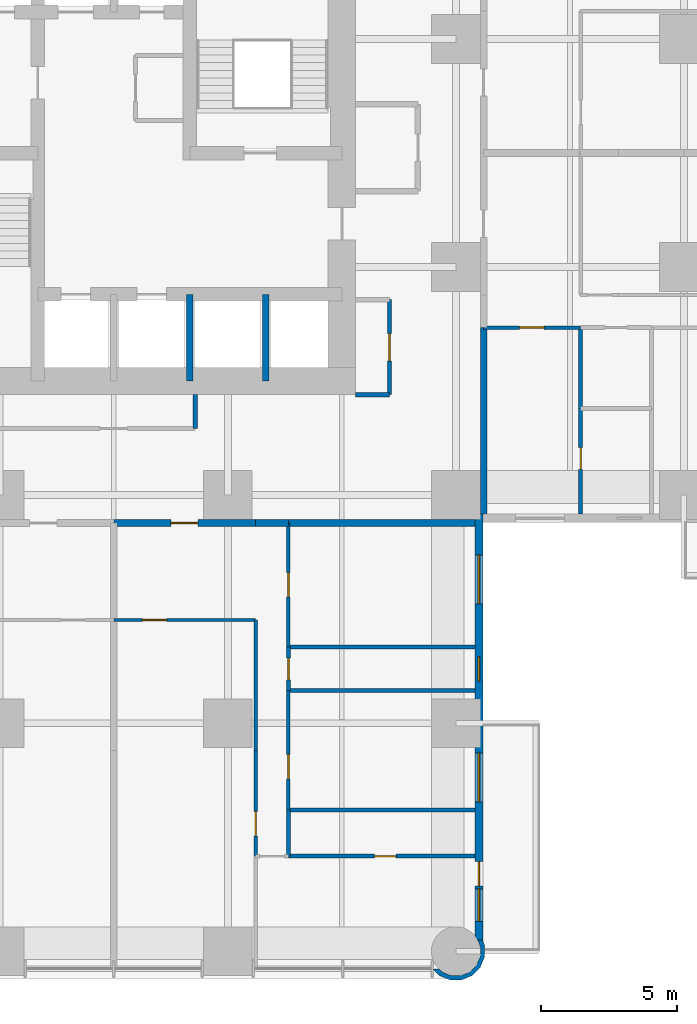
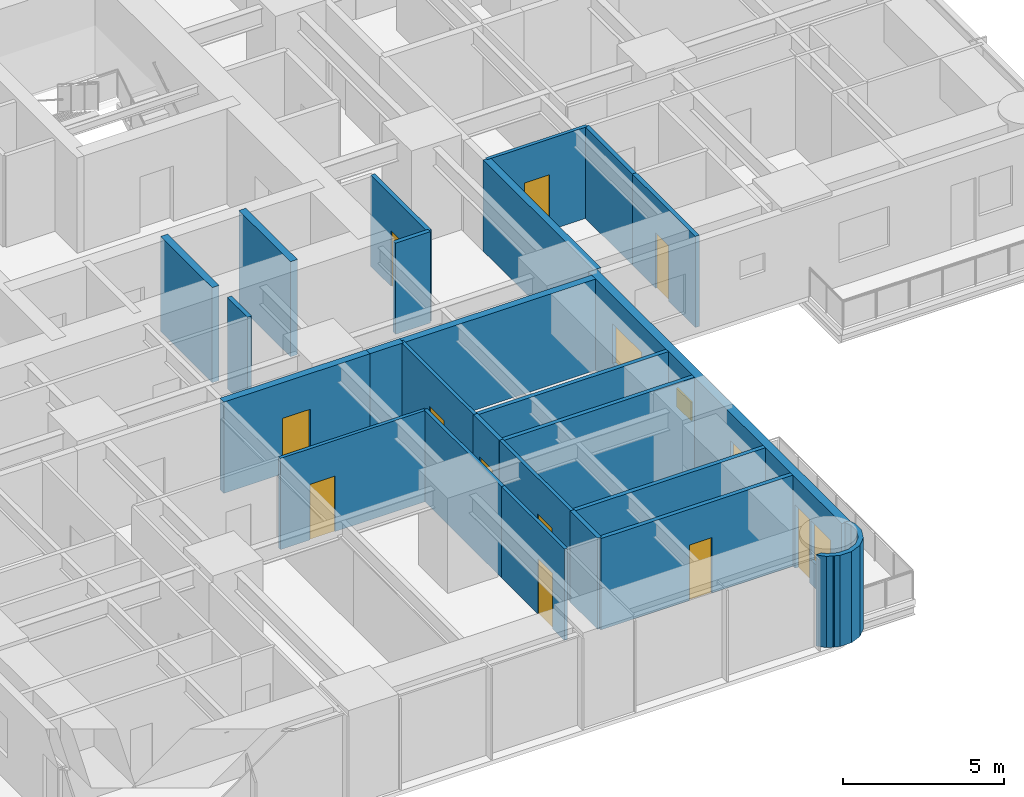
# One storey, part 9 of 17: 25 walls, 11 doors, 4 windows, 15 openings.
"""IFC4 building model written with IfcOpenShell, lengths in metres."""

from ifc_helpers import new_model, si_unit, direction, frame, frame_2d, origin, place, context, subcontext, project, spatial, polyline, rectangle, outline, extrude, material, layer, layer_set, type_object, element, fill, save


model = new_model("IFC4")

# Units and contexts
model_context = context("Model", 3, precision=1e-05, world=origin(), true_north=direction((0.0, 1.0)))
body_context = subcontext(model_context, "Body", "Model", "MODEL_VIEW")
ifc_project = project(units=[si_unit("LENGTHUNIT", "METRE"), si_unit("AREAUNIT", "SQUARE_METRE"), si_unit("VOLUMEUNIT", "CUBIC_METRE"), si_unit("PLANEANGLEUNIT", "RADIAN"), si_unit("MASSUNIT", "GRAM", prefix="KILO")], contexts=[model_context])

# Site, building, storey
site_placement = place(None, origin())
site = spatial("IfcSite", under=ifc_project, at=site_placement, CompositionType="ELEMENT")
building_placement = place(site_placement, origin())
building = spatial("IfcBuilding", under=site, at=building_placement, Name="Torre Alcanfor", CompositionType="ELEMENT")
storey_placement = place(building_placement, frame((0.0, 0.0, 74.10009765625)))
storey = spatial("IfcBuildingStorey", under=building, at=storey_placement, Name="L18", CompositionType="ELEMENT", Elevation=74.10009765625)

# Wall
ifc_material_1 = material(Name="Concrete block masonry, hollow blocks NMX-C-404 9 MPa", Category="masonry")
ifc_layer_1 = layer(ifc_material_1, 0.25)
ifc_layer_set_1 = layer_set([ifc_layer_1], Name="Apartment entrance wall 250 EI 60")
wall_type_1 = type_object("IfcWallType", Name="Apartment entrance wall 250 EI 60", PredefinedType="PARTITIONING", material=ifc_layer_set_1)
wall_1_placement = place(storey_placement, frame((43.02490234375, 22.970947265625, 0.0), z_axis=(0.0, 0.0, 1.0), x_axis=(0.0, -1.0, 0.0)))
element("IfcWall", 1, at=wall_1_placement, inside=storey, type_object=wall_type_1, Name="Partition L18-CORR / L18-E2-SERV", PredefinedType="PARTITIONING", context=body_context, shape_type="SweptSolid", body=[
    extrude(rectangle(XDim=6.870849609375, YDim=0.25, at=frame_2d((3.435546875, 0.0))), origin(), (0.0, 0.0, 1.0), 3.449951171875),
])

# Wall, opening, door
wall_2_placement = place(storey_placement, frame((34.62890625, 15.77490234375, 0.0), z_axis=(0.0, 0.0, 1.0), x_axis=(-1.0, 0.0, 0.0)))
wall_2 = element("IfcWall", 2, at=wall_2_placement, inside=storey, type_object=wall_type_1, Name="Partition L18-CORR / L18-S1-ZAG", PredefinedType="PARTITIONING", context=body_context, shape_type="SweptSolid", body=[
    extrude(rectangle(XDim=5.22900390625, YDim=0.25, at=frame_2d((2.614501953125, 0.0))), origin(), (0.0, 0.0, 1.0), 3.449951171875),
])
opening_1_placement = place(wall_2_placement, frame((2.12890625, 0.0, 0.0)))
opening_1 = element("IfcOpeningElement", 3, at=opening_1_placement, cuts=wall_2, Name="Opening D-A1", PredefinedType="OPENING", context=body_context, shape_type="SweptSolid", body=[
    extrude(rectangle(XDim=1.0, YDim=2.10009765625, at=frame_2d((0.5, 1.050048828125))), frame((0.0, 0.135009765625, 0.0), z_axis=(0.0, -1.0, 0.0), x_axis=(1.0, 0.0, 0.0)), (0.0, 0.0, 1.0), 0.27001953125),
])
ifc_material_2 = material(Name="Galvanised steel sheet ASTM A653", Category="steel")
door_type_1 = type_object("IfcDoorType", Name="Apartment entrance door FD60 1000x2100", OperationType="SINGLE_SWING_LEFT", PredefinedType="DOOR", material=ifc_material_2)
door_1_placement = place(opening_1_placement, origin())
door_1 = element("IfcDoor", 4, at=door_1_placement, inside=storey, type_object=door_type_1, Name="Apartment entrance L18-S1", OperationType="SINGLE_SWING_RIGHT", OverallHeight=2.10009765625, OverallWidth=1.0, PredefinedType="DOOR", context=body_context, shape_type="SweptSolid", body=[
    extrude(rectangle(XDim=1.0, YDim=2.10009765625, at=frame_2d((0.5, 1.050048828125))), frame((0.0, 0.02490234375, 0.0), z_axis=(0.0, -1.0, 0.0), x_axis=(1.0, 0.0, 0.0)), (0.0, 0.0, 1.0), 0.050048828125),
])
fill(opening_1, door_1)

# Walls
wall_3_placement = place(storey_placement, frame((35.8291015625, 15.77490234375, 0.0), z_axis=(0.0, 0.0, 1.0), x_axis=(-1.0, 0.0, 0.0)))
element("IfcWall", 5, at=wall_3_placement, inside=storey, type_object=wall_type_1, Name="Partition L18-CORR / L18-S1-HALL", PredefinedType="PARTITIONING", context=body_context, shape_type="SweptSolid", body=[
    extrude(rectangle(XDim=1.2001953125, YDim=0.25, at=frame_2d((0.60009765625, 0.0))), origin(), (0.0, 0.0, 1.0), 3.449951171875),
])
wall_4_placement = place(storey_placement, frame((42.699951171875, 15.77490234375, 0.0), z_axis=(0.0, 0.0, 1.0), x_axis=(-1.0, 0.0, 0.0)))
element("IfcWall", 6, at=wall_4_placement, inside=storey, type_object=wall_type_1, Name="Partition L18-CORR / L18-S1-BED3", PredefinedType="PARTITIONING", context=body_context, shape_type="SweptSolid", body=[
    extrude(rectangle(XDim=6.870849609375, YDim=0.25, at=frame_2d((3.435546875, 0.0))), origin(), (0.0, 0.0, 1.0), 3.449951171875),
])

# Wall, opening, door
ifc_material_3 = material(Name="Gypsum board on steel studs", Category="steel")
ifc_layer_2 = layer(ifc_material_3, 0.1201171875)
ifc_layer_set_2 = layer_set([ifc_layer_2], Name="Apartment partition 120")
wall_type_2 = type_object("IfcWallType", Name="Apartment partition 120", PredefinedType="PARTITIONING", material=ifc_layer_set_2)
wall_5_placement = place(storey_placement, frame((46.60009765625, 22.970947265625, 0.0), z_axis=(0.0, 0.0, 1.0), x_axis=(-1.0, 0.0, 0.0)))
wall_5 = element("IfcWall", 7, at=wall_5_placement, inside=storey, type_object=wall_type_2, Name="Partition L18-E2-HALL / L18-E2-SERV", PredefinedType="PARTITIONING", context=body_context, shape_type="SweptSolid", body=[
    extrude(rectangle(XDim=3.5751953125, YDim=0.1201171875, at=frame_2d((1.78759765625, 0.0))), origin(), (0.0, 0.0, 1.0), 3.449951171875),
])
opening_2_placement = place(wall_5_placement, frame((1.35009765625, 0.0, 0.0)))
opening_2 = element("IfcOpeningElement", 8, at=opening_2_placement, cuts=wall_5, Name="Opening D-R1", PredefinedType="OPENING", context=body_context, shape_type="SweptSolid", body=[
    extrude(rectangle(XDim=0.89990234375, YDim=2.10009765625, at=frame_2d((0.449951171875, 1.050048828125))), frame((0.0, 0.070068359375, 0.0), z_axis=(0.0, -1.0, 0.0), x_axis=(1.0, 0.0, 0.0)), (0.0, 0.0, 1.0), 0.14013671875),
])
ifc_material_4 = material(Name="Timber", Category="wood")
door_type_2 = type_object("IfcDoorType", Name="Internal door 900x2100", OperationType="SINGLE_SWING_LEFT", PredefinedType="DOOR", material=ifc_material_4)
door_2_placement = place(opening_2_placement, origin())
door_2 = element("IfcDoor", 9, at=door_2_placement, inside=storey, type_object=door_type_2, Name="Door L18-E2 serv", OperationType="SINGLE_SWING_RIGHT", OverallHeight=2.10009765625, OverallWidth=0.89990234375, PredefinedType="DOOR", context=body_context, shape_type="SweptSolid", body=[
    extrude(rectangle(XDim=0.89990234375, YDim=2.10009765625, at=frame_2d((0.449951171875, 1.050048828125))), frame((0.0, 0.02490234375, 0.0), z_axis=(0.0, -1.0, 0.0), x_axis=(1.0, 0.0, 0.0)), (0.0, 0.0, 1.0), 0.050048828125),
])
fill(opening_2, door_2)

wall_6_placement = place(storey_placement, frame((29.39990234375, 12.199951171875, 0.0), z_axis=(0.0, 0.0, 1.0), x_axis=(1.0, 0.0, 0.0)))
wall_6 = element("IfcWall", 10, at=wall_6_placement, inside=storey, type_object=wall_type_2, Name="Partition L18-S1-ZAG / L18-S1-KITCHEN", PredefinedType="PARTITIONING", context=body_context, shape_type="SweptSolid", body=[
    extrude(rectangle(XDim=5.22900390625, YDim=0.1201171875, at=frame_2d((2.614501953125, 0.0))), origin(), (0.0, 0.0, 1.0), 3.449951171875),
])
opening_3_placement = place(wall_6_placement, frame((1.050048828125, 0.0, 0.0)))
opening_3 = element("IfcOpeningElement", 11, at=opening_3_placement, cuts=wall_6, Name="Opening D-R1", PredefinedType="OPENING", context=body_context, shape_type="SweptSolid", body=[
    extrude(rectangle(XDim=0.89990234375, YDim=2.10009765625, at=frame_2d((0.449951171875, 1.050048828125))), frame((0.0, 0.070068359375, 0.0), z_axis=(0.0, -1.0, 0.0), x_axis=(1.0, 0.0, 0.0)), (0.0, 0.0, 1.0), 0.14013671875),
])
door_3_placement = place(opening_3_placement, frame((0.89990234375, 0.0, 0.0), z_axis=(0.0, 0.0, 1.0), x_axis=(-1.0, 0.0, 0.0)))
door_3 = element("IfcDoor", 12, at=door_3_placement, inside=storey, type_object=door_type_2, Name="Door L18-S1 kitchen", OperationType="SINGLE_SWING_RIGHT", OverallHeight=2.10009765625, OverallWidth=0.89990234375, PredefinedType="DOOR", context=body_context, shape_type="SweptSolid", body=[
    extrude(rectangle(XDim=0.89990234375, YDim=2.10009765625, at=frame_2d((0.449951171875, 1.050048828125))), frame((0.0, 0.025146484375, 0.0), z_axis=(0.0, -1.0, 0.0), x_axis=(1.0, 0.0, 0.0)), (0.0, 0.0, 1.0), 0.050048828125),
])
fill(opening_3, door_3)

# Wall
wall_7_placement = place(storey_placement, frame((34.62890625, 7.39990234375, 0.0), z_axis=(0.0, 0.0, 1.0), x_axis=(0.0, 1.0, 0.0)))
element("IfcWall", 13, at=wall_7_placement, inside=storey, type_object=wall_type_2, Name="Partition L18-S1-KITCHEN / L18-S1-HALL", PredefinedType="PARTITIONING", context=body_context, shape_type="SweptSolid", body=[
    extrude(rectangle(XDim=4.800048828125, YDim=0.1201171875, at=frame_2d((2.39990234375, 0.0))), origin(), (0.0, 0.0, 1.0), 3.449951171875),
])

# Wall, opening, door
wall_8_placement = place(storey_placement, frame((34.62890625, 3.5, 0.0), z_axis=(0.0, 0.0, 1.0), x_axis=(0.0, 1.0, 0.0)))
wall_8 = element("IfcWall", 14, at=wall_8_placement, inside=storey, type_object=wall_type_2, Name="Partition L18-S1-LIVING / L18-S1-HALL", PredefinedType="PARTITIONING", context=body_context, shape_type="SweptSolid", body=[
    extrude(rectangle(XDim=3.89990234375, YDim=0.1201171875, at=frame_2d((1.949951171875, 0.0))), origin(), (0.0, 0.0, 1.0), 3.449951171875),
])
opening_4_placement = place(wall_8_placement, frame((0.75, 0.0, 0.0)))
opening_4 = element("IfcOpeningElement", 15, at=opening_4_placement, cuts=wall_8, Name="Opening D-R1", PredefinedType="OPENING", context=body_context, shape_type="SweptSolid", body=[
    extrude(rectangle(XDim=0.89990234375, YDim=2.10009765625, at=frame_2d((0.449951171875, 1.050048828125))), frame((0.0, 0.070068359375, 0.0), z_axis=(0.0, -1.0, 0.0), x_axis=(1.0, 0.0, 0.0)), (0.0, 0.0, 1.0), 0.14013671875),
])
door_4_placement = place(opening_4_placement, origin())
door_4 = element("IfcDoor", 16, at=door_4_placement, inside=storey, type_object=door_type_2, Name="Door L18-S1 living", OperationType="SINGLE_SWING_RIGHT", OverallHeight=2.10009765625, OverallWidth=0.89990234375, PredefinedType="DOOR", context=body_context, shape_type="SweptSolid", body=[
    extrude(rectangle(XDim=0.89990234375, YDim=2.10009765625, at=frame_2d((0.449951171875, 1.050048828125))), frame((0.0, 0.02490234375, 0.0), z_axis=(0.0, -1.0, 0.0), x_axis=(1.0, 0.0, 0.0)), (0.0, 0.0, 1.0), 0.050048828125),
])
fill(opening_4, door_4)

wall_9_placement = place(storey_placement, frame((35.8291015625, 11.199951171875, 0.0), z_axis=(0.0, 0.0, 1.0), x_axis=(0.0, 1.0, 0.0)))
wall_9 = element("IfcWall", 17, at=wall_9_placement, inside=storey, type_object=wall_type_2, Name="Partition L18-S1-HALL / L18-S1-BED3", PredefinedType="PARTITIONING", context=body_context, shape_type="SweptSolid", body=[
    extrude(rectangle(XDim=4.574951171875, YDim=0.1201171875, at=frame_2d((2.28759765625, 0.0))), origin(), (0.0, 0.0, 1.0), 3.449951171875),
])
opening_5_placement = place(wall_9_placement, frame((1.85009765625, 0.0, 0.0)))
opening_5 = element("IfcOpeningElement", 18, at=opening_5_placement, cuts=wall_9, Name="Opening D-R1", PredefinedType="OPENING", context=body_context, shape_type="SweptSolid", body=[
    extrude(rectangle(XDim=0.89990234375, YDim=2.10009765625, at=frame_2d((0.449951171875, 1.050048828125))), frame((0.0, 0.070068359375, 0.0), z_axis=(0.0, -1.0, 0.0), x_axis=(1.0, 0.0, 0.0)), (0.0, 0.0, 1.0), 0.14013671875),
])
door_5_placement = place(opening_5_placement, frame((0.89990234375, 0.0, 0.0), z_axis=(0.0, 0.0, 1.0), x_axis=(-1.0, 0.0, 0.0)))
door_5 = element("IfcDoor", 19, at=door_5_placement, inside=storey, type_object=door_type_2, Name="Door L18-S1 bed3", OperationType="SINGLE_SWING_LEFT", OverallHeight=2.10009765625, OverallWidth=0.89990234375, PredefinedType="DOOR", context=body_context, shape_type="SweptSolid", body=[
    extrude(rectangle(XDim=0.89990234375, YDim=2.10009765625, at=frame_2d((0.449951171875, 1.050048828125))), frame((0.0, 0.025146484375, 0.0), z_axis=(0.0, -1.0, 0.0), x_axis=(1.0, 0.0, 0.0)), (0.0, 0.0, 1.0), 0.050048828125),
])
fill(opening_5, door_5)

wall_10_placement = place(storey_placement, frame((35.8291015625, 5.199951171875, 0.0), z_axis=(0.0, 0.0, 1.0), x_axis=(0.0, 1.0, 0.0)))
wall_10 = element("IfcWall", 20, at=wall_10_placement, inside=storey, type_object=wall_type_2, Name="Partition L18-S1-HALL / L18-S1-BED2", PredefinedType="PARTITIONING", context=body_context, shape_type="SweptSolid", body=[
    extrude(rectangle(XDim=4.400146484375, YDim=0.1201171875, at=frame_2d((2.2001953125, 0.0))), origin(), (0.0, 0.0, 1.0), 3.449951171875),
])
opening_6_placement = place(wall_10_placement, frame((1.14990234375, 0.0, 0.0)))
opening_6 = element("IfcOpeningElement", 21, at=opening_6_placement, cuts=wall_10, Name="Opening D-R1", PredefinedType="OPENING", context=body_context, shape_type="SweptSolid", body=[
    extrude(rectangle(XDim=0.89990234375, YDim=2.10009765625, at=frame_2d((0.449951171875, 1.050048828125))), frame((0.0, 0.070068359375, 0.0), z_axis=(0.0, -1.0, 0.0), x_axis=(1.0, 0.0, 0.0)), (0.0, 0.0, 1.0), 0.14013671875),
])
door_6_placement = place(opening_6_placement, frame((0.89990234375, 0.0, 0.0), z_axis=(0.0, 0.0, 1.0), x_axis=(-1.0, 0.0, 0.0)))
door_6 = element("IfcDoor", 22, at=door_6_placement, inside=storey, type_object=door_type_2, Name="Door L18-S1 bed2", OperationType="SINGLE_SWING_RIGHT", OverallHeight=2.10009765625, OverallWidth=0.89990234375, PredefinedType="DOOR", context=body_context, shape_type="SweptSolid", body=[
    extrude(rectangle(XDim=0.89990234375, YDim=2.10009765625, at=frame_2d((0.449951171875, 1.050048828125))), frame((0.0, 0.025146484375, 0.0), z_axis=(0.0, -1.0, 0.0), x_axis=(1.0, 0.0, 0.0)), (0.0, 0.0, 1.0), 0.050048828125),
])
fill(opening_6, door_6)

# Walls
ifc_material_5 = material(Name="Concrete f'c 70 MPa", Category="concrete")
ifc_layer_3 = layer(ifc_material_5, 0.25)
ifc_layer_set_3 = layer_set([ifc_layer_3], Name="Core shaft wall 250 f'c70")
wall_type_3 = type_object("IfcWallType", Name="Core shaft wall 250 f'c70", PredefinedType="SHEAR", material=ifc_layer_set_3)
for number, where, z_axis, x_axis, name in (
    (23, (32.199951171875, 21.0, 0.0), (0.0, 0.0, 1.0), (0.0, 1.0, 0.0), "Core wall X322S L18"),
    (24, (35.0, 21.0, 0.0), (0.0, 0.0, 1.0), (0.0, 1.0, 0.0), "Core wall X350S L18"),
):
    element("IfcWall", number, at=place(storey_placement, frame(where, z_axis=z_axis, x_axis=x_axis)), inside=storey, type_object=wall_type_3, Name=name, PredefinedType="SHEAR", context=body_context, shape_type="SweptSolid", body=[
        extrude(rectangle(XDim=3.199951171875, YDim=0.25, at=frame_2d((1.60009765625, 0.0))), origin(), (0.0, 0.0, 1.0), 3.599853515625),
    ])

# Wall, openings, door, windows
ifc_material_6 = material(Name="Limestone cladding", Category="masonry")
ifc_layer_4 = layer(ifc_material_6, 0.0400390625, Name="Facing")
ifc_material_7 = material(Name="Ventilated air cavity")
ifc_layer_5 = layer(ifc_material_7, 0.02001953125, ventilated=True, Name="Ventilated joint")
ifc_material_8 = material(Name="Mineral wool insulation", Category="insulation")
ifc_layer_6 = layer(ifc_material_8, 0.10009765625, Name="Insulation")
ifc_material_9 = material(Name="Concrete f'c 35 MPa", Category="concrete")
ifc_layer_7 = layer(ifc_material_9, 0.139892578125, Name="Backing")
ifc_layer_set_4 = layer_set([ifc_layer_4, ifc_layer_5, ifc_layer_6, ifc_layer_7], Name="External wall stone-clad 300")
wall_type_4 = type_object("IfcWallType", Name="External wall stone-clad 300", PredefinedType="SOLIDWALL", material=ifc_layer_set_4)
wall_11_placement = place(storey_placement, frame((42.85009765625, 0.39990234375, 0.0), z_axis=(0.0, 0.0, 1.0), x_axis=(0.0, 1.0, 0.0)))
wall_11 = element("IfcWall", 25, at=wall_11_placement, inside=storey, type_object=wall_type_4, Name="External wall L18 6", PredefinedType="SOLIDWALL", context=body_context, shape_type="SweptSolid", body=[
    extrude(rectangle(XDim=15.7001953125, YDim=0.300048828125, at=frame_2d((7.85009765625, 0.0))), origin(), (0.0, 0.0, 1.0), 3.449951171875),
])
opening_7_placement = place(wall_11_placement, frame((12.39990234375, 0.0, 0.89990234375)))
opening_7 = element("IfcOpeningElement", 26, at=opening_7_placement, cuts=wall_11, Name="Opening W2", PredefinedType="OPENING", context=body_context, shape_type="SweptSolid", body=[
    extrude(rectangle(XDim=1.800048828125, YDim=1.5, at=frame_2d((0.89990234375, 0.75))), frame((0.0, 0.159912109375, 0.0), z_axis=(0.0, -1.0, 0.0), x_axis=(1.0, 0.0, 0.0)), (0.0, 0.0, 1.0), 0.320068359375),
])
opening_8_placement = place(wall_11_placement, frame((9.550048828125, 0.0, 1.5)))
opening_8 = element("IfcOpeningElement", 27, at=opening_8_placement, cuts=wall_11, Name="Opening W3", PredefinedType="OPENING", context=body_context, shape_type="SweptSolid", body=[
    extrude(rectangle(XDim=0.89990234375, YDim=0.699951171875, at=frame_2d((0.449951171875, 0.35009765625))), frame((0.0, 0.159912109375, 0.0), z_axis=(0.0, -1.0, 0.0), x_axis=(1.0, 0.0, 0.0)), (0.0, 0.0, 1.0), 0.320068359375),
])
opening_9_placement = place(wall_11_placement, frame((5.10009765625, 0.0, 0.89990234375)))
opening_9 = element("IfcOpeningElement", 28, at=opening_9_placement, cuts=wall_11, Name="Opening W2", PredefinedType="OPENING", context=body_context, shape_type="SweptSolid", body=[
    extrude(rectangle(XDim=1.800048828125, YDim=1.5, at=frame_2d((0.89990234375, 0.75))), frame((0.0, 0.159912109375, 0.0), z_axis=(0.0, -1.0, 0.0), x_axis=(1.0, 0.0, 0.0)), (0.0, 0.0, 1.0), 0.320068359375),
])
opening_10_placement = place(wall_11_placement, frame((2.0, 0.0, 0.0)))
opening_10 = element("IfcOpeningElement", 29, at=opening_10_placement, cuts=wall_11, Name="Opening D-B1", PredefinedType="OPENING", context=body_context, shape_type="SweptSolid", body=[
    extrude(rectangle(XDim=0.89990234375, YDim=2.39990234375, at=frame_2d((0.449951171875, 1.199951171875))), frame((0.0, 0.159912109375, 0.0), z_axis=(0.0, -1.0, 0.0), x_axis=(1.0, 0.0, 0.0)), (0.0, 0.0, 1.0), 0.320068359375),
])
opening_11_placement = place(wall_11_placement, frame((0.699951171875, 0.0, 0.89990234375)))
opening_11 = element("IfcOpeningElement", 30, at=opening_11_placement, cuts=wall_11, Name="Opening W4", PredefinedType="OPENING", context=body_context, shape_type="SweptSolid", body=[
    extrude(rectangle(XDim=1.199951171875, YDim=1.5, at=frame_2d((0.60009765625, 0.75))), frame((0.0, 0.159912109375, 0.0), z_axis=(0.0, -1.0, 0.0), x_axis=(1.0, 0.0, 0.0)), (0.0, 0.0, 1.0), 0.320068359375),
])
ifc_material_10 = material(Name="Aluminium and glass", Category="aluminium")
door_type_3 = type_object("IfcDoorType", Name="Balcony door glazed 900x2400", OperationType="SINGLE_SWING_LEFT", PredefinedType="DOOR", material=ifc_material_10)
door_7_placement = place(opening_10_placement, origin())
door_7 = element("IfcDoor", 31, at=door_7_placement, inside=storey, type_object=door_type_3, Name="Balcony door L18-S1", OperationType="SINGLE_SWING_RIGHT", OverallHeight=2.39990234375, OverallWidth=0.89990234375, PredefinedType="DOOR", context=body_context, shape_type="SweptSolid", body=[
    extrude(rectangle(XDim=0.89990234375, YDim=2.39990234375, at=frame_2d((0.449951171875, 1.199951171875))), frame((0.0, 0.02490234375, 0.0), z_axis=(0.0, -1.0, 0.0), x_axis=(1.0, 0.0, 0.0)), (0.0, 0.0, 1.0), 0.050048828125),
])
fill(opening_10, door_7)
ifc_material_11 = material(Name="Aluminium frame with clear double glazing", Category="aluminium")
window_type_1 = type_object("IfcWindowType", Name="Window bathroom 900x700", PartitioningType="SINGLE_PANEL", PredefinedType="WINDOW", material=ifc_material_11)
window_1_placement = place(opening_8_placement, origin())
window_1 = element("IfcWindow", 32, at=window_1_placement, inside=storey, type_object=window_type_1, Name="Window W3 L18-S1", OverallHeight=0.699951171875, OverallWidth=0.89990234375, PartitioningType="SINGLE_PANEL", PredefinedType="WINDOW", context=body_context, shape_type="SweptSolid", body=[
    extrude(rectangle(XDim=0.89990234375, YDim=0.699951171875, at=frame_2d((0.449951171875, 0.35009765625))), frame((0.0, 0.030029296875, 0.0), z_axis=(0.0, -1.0, 0.0), x_axis=(1.0, 0.0, 0.0)), (0.0, 0.0, 1.0), 0.06005859375),
])
fill(opening_8, window_1)
ifc_material_12 = material(Name="Aluminium frame with clear double glazing", Category="aluminium")
window_type_2 = type_object("IfcWindowType", Name="Window bedroom 1200x1500", PartitioningType="SINGLE_PANEL", PredefinedType="WINDOW", material=ifc_material_12)
window_2_placement = place(opening_11_placement, origin())
window_2 = element("IfcWindow", 33, at=window_2_placement, inside=storey, type_object=window_type_2, Name="Window W4 L18-S1", OverallHeight=1.5, OverallWidth=1.199951171875, PartitioningType="SINGLE_PANEL", PredefinedType="WINDOW", context=body_context, shape_type="SweptSolid", body=[
    extrude(rectangle(XDim=1.199951171875, YDim=1.5, at=frame_2d((0.60009765625, 0.75))), frame((0.0, 0.030029296875, 0.0), z_axis=(0.0, -1.0, 0.0), x_axis=(1.0, 0.0, 0.0)), (0.0, 0.0, 1.0), 0.06005859375),
])
fill(opening_11, window_2)
ifc_material_13 = material(Name="Aluminium frame with clear double glazing", Category="aluminium")
window_type_3 = type_object("IfcWindowType", Name="Window bedroom 1800x1500", PartitioningType="SINGLE_PANEL", PredefinedType="WINDOW", material=ifc_material_13)
window_3_placement = place(opening_7_placement, origin())
window_3 = element("IfcWindow", 34, at=window_3_placement, inside=storey, type_object=window_type_3, Name="Window W2 L18-S1", OverallHeight=1.5, OverallWidth=1.800048828125, PartitioningType="SINGLE_PANEL", PredefinedType="WINDOW", context=body_context, shape_type="SweptSolid", body=[
    extrude(rectangle(XDim=1.800048828125, YDim=1.5, at=frame_2d((0.89990234375, 0.75))), frame((0.0, 0.030029296875, 0.0), z_axis=(0.0, -1.0, 0.0), x_axis=(1.0, 0.0, 0.0)), (0.0, 0.0, 1.0), 0.06005859375),
])
fill(opening_7, window_3)
window_4_placement = place(opening_9_placement, origin())
window_4 = element("IfcWindow", 35, at=window_4_placement, inside=storey, type_object=window_type_3, Name="Window W2 L18-S1", OverallHeight=1.5, OverallWidth=1.800048828125, PartitioningType="SINGLE_PANEL", PredefinedType="WINDOW", context=body_context, shape_type="SweptSolid", body=[
    extrude(rectangle(XDim=1.800048828125, YDim=1.5, at=frame_2d((0.89990234375, 0.75))), frame((0.0, 0.030029296875, 0.0), z_axis=(0.0, -1.0, 0.0), x_axis=(1.0, 0.0, 0.0)), (0.0, 0.0, 1.0), 0.06005859375),
])
fill(opening_9, window_4)

# Wall
ifc_material_14 = material(Name="Concrete block masonry, hollow blocks NMX-C-404 9 MPa", Category="masonry")
ifc_layer_8 = layer(ifc_material_14, 0.14990234375)
ifc_layer_set_5 = layer_set([ifc_layer_8], Name="Residents' room partition 150")
wall_type_5 = type_object("IfcWallType", Name="Residents' room partition 150", PredefinedType="PARTITIONING", material=ifc_layer_set_5)
wall_12_placement = place(storey_placement, frame((38.300048828125, 20.5, 0.0), z_axis=(0.0, 0.0, 1.0), x_axis=(1.0, 0.0, 0.0)))
element("IfcWall", 36, at=wall_12_placement, inside=storey, type_object=wall_type_5, Name="Partition L18-CORR / L18-G03", PredefinedType="PARTITIONING", context=body_context, shape_type="SweptSolid", body=[
    extrude(rectangle(XDim=1.25, YDim=0.14990234375, at=frame_2d((0.625, 0.0))), origin(), (0.0, 0.0, 1.0), 3.449951171875),
])

# Wall, opening, door
wall_13_placement = place(storey_placement, frame((39.550048828125, 20.5, 0.0), z_axis=(0.0, 0.0, 1.0), x_axis=(0.0, 1.0, 0.0)))
wall_13 = element("IfcWall", 37, at=wall_13_placement, inside=storey, type_object=wall_type_5, Name="Partition L18-CORR / L18-G03", PredefinedType="PARTITIONING", context=body_context, shape_type="SweptSolid", body=[
    extrude(rectangle(XDim=3.5, YDim=0.14990234375, at=frame_2d((1.75, 0.0))), origin(), (0.0, 0.0, 1.0), 3.449951171875),
])
opening_12_placement = place(wall_13_placement, frame((1.25, 0.0, 0.0)))
opening_12 = element("IfcOpeningElement", 38, at=opening_12_placement, cuts=wall_13, Name="Opening D-M1", PredefinedType="OPENING", context=body_context, shape_type="SweptSolid", body=[
    extrude(rectangle(XDim=1.0, YDim=2.10009765625, at=frame_2d((0.5, 1.050048828125))), frame((0.0, 0.0849609375, 0.0), z_axis=(0.0, -1.0, 0.0), x_axis=(1.0, 0.0, 0.0)), (0.0, 0.0, 1.0), 0.169921875),
])
ifc_material_15 = material(Name="Timber", Category="wood")
door_type_4 = type_object("IfcDoorType", Name="Residents' room door 1000x2100", OperationType="SINGLE_SWING_LEFT", PredefinedType="DOOR", material=ifc_material_15)
door_8_placement = place(opening_12_placement, origin())
door_8 = element("IfcDoor", 39, at=door_8_placement, inside=storey, type_object=door_type_4, Name="Door L18-G03 bicycle store", OperationType="SINGLE_SWING_LEFT", OverallHeight=2.10009765625, OverallWidth=1.0, PredefinedType="DOOR", context=body_context, shape_type="SweptSolid", body=[
    extrude(rectangle(XDim=1.0, YDim=2.10009765625, at=frame_2d((0.5, 1.050048828125))), frame((0.0, 0.02490234375, 0.0), z_axis=(0.0, -1.0, 0.0), x_axis=(1.0, 0.0, 0.0)), (0.0, 0.0, 1.0), 0.050048828125),
])
fill(opening_12, door_8)

# Walls
wall_14_placement = place(storey_placement, frame((32.39990234375, 19.25, 0.0), z_axis=(0.0, 0.0, 1.0), x_axis=(0.0, 1.0, 0.0)))
element("IfcWall", 40, at=wall_14_placement, inside=storey, type_object=wall_type_5, Name="Partition L18-CORR / L18-G05", PredefinedType="PARTITIONING", context=body_context, shape_type="SweptSolid", body=[
    extrude(rectangle(XDim=1.25, YDim=0.14990234375, at=frame_2d((0.625, 0.0))), origin(), (0.0, 0.0, 1.0), 3.449951171875),
])
ifc_layer_9 = layer(ifc_material_6, 0.0400390625, Name="Facing")
ifc_layer_10 = layer(ifc_material_7, 0.02001953125, ventilated=True, Name="Ventilated joint")
ifc_layer_11 = layer(ifc_material_8, 0.10009765625, Name="Insulation")
ifc_layer_12 = layer(ifc_material_9, 0.139892578125, Name="Backing")
ifc_layer_set_6 = layer_set([ifc_layer_9, ifc_layer_10, ifc_layer_11, ifc_layer_12], Name="Rounded corner pier stone-clad 300")
wall_type_6 = type_object("IfcWallType", Name="Rounded corner pier stone-clad 300", PredefinedType="SOLIDWALL", material=ifc_layer_set_6)
wall_15_placement = place(storey_placement, frame((41.23340608, -0.610519256, 0.0), z_axis=(0.0, 0.0, 1.0), x_axis=(0.377204953059, -0.926129809145, 0.0)))
element("IfcWall", 41, at=wall_15_placement, inside=storey, type_object=wall_type_6, Name="Corner pier L18 16", PredefinedType="SOLIDWALL", context=body_context, shape_type="SweptSolid", body=[
    extrude(outline(polyline([(0.31873169437185855, 1.8425336525024494), (-0.07152710704046505, 2.001482809968314), (-0.24009471588869835, 2.0005449414227563), (-0.26941358666453996, 2.017231322070639), (-0.37003424962124987, 1.840731870737274), (-0.10240281114565264, 1.842182010528029), (0.22952066537421467, 1.7069923447343507), (0.48468330510664415, 1.4551793700683648), (0.6237907271323827, 1.1248909220292227), (0.6256685839754508, 0.7664021208386822), (0.49047891818177247, 0.4344786443188148), (0.23866594351578668, 0.1793160045863853), (0.09016005264750862, 0.11695717207098313), (0.01086965602056237, -0.07772001681430692), (0.024436010646714988, -0.08324547999388505), (0.3295868985749782, 0.04527476829386376), (0.48015223740573765, 0.19747796194128653), (0.49902760591309464, 0.19268993376963664), (0.5075741737852856, 0.2253240824532252), (0.6260202259498713, 0.3452676153211709), (0.7849693834157356, 0.7355264167334946), (0.7824906971943995, 1.1572636358175066), (0.6187245413991658, 1.5461003251275562), (0.31873169437185855, 1.8425336525024494)])), origin(), (0.0, 0.0, 1.0), 3.449951171875),
])
ifc_material_16 = material(Name="Cement board on steel studs", Category="steel")
ifc_layer_13 = layer(ifc_material_16, 0.14990234375)
ifc_layer_set_7 = layer_set([ifc_layer_13], Name="Wet area partition 150")
wall_type_7 = type_object("IfcWallType", Name="Wet area partition 150", PredefinedType="PARTITIONING", material=ifc_layer_set_7)
wall_16_placement = place(storey_placement, frame((46.60009765625, 22.970947265625, 0.0), z_axis=(0.0, 0.0, 1.0), x_axis=(0.0, -1.0, 0.0)))
element("IfcWall", 42, at=wall_16_placement, inside=storey, type_object=wall_type_7, Name="Partition L18-E2-SERV / L18-E2-BATH1", PredefinedType="PARTITIONING", context=body_context, shape_type="SweptSolid", body=[
    extrude(rectangle(XDim=2.970947265625, YDim=0.14990234375, at=frame_2d((1.4853515625, 0.0))), origin(), (0.0, 0.0, 1.0), 3.449951171875),
])

# Wall, opening, door
wall_17_placement = place(storey_placement, frame((46.60009765625, 20.0, 0.0), z_axis=(0.0, 0.0, 1.0), x_axis=(0.0, -1.0, 0.0)))
wall_17 = element("IfcWall", 43, at=wall_17_placement, inside=storey, type_object=wall_type_7, Name="Partition L18-E2-SERV / L18-E2-SBATH", PredefinedType="PARTITIONING", context=body_context, shape_type="SweptSolid", body=[
    extrude(rectangle(XDim=3.89990234375, YDim=0.14990234375, at=frame_2d((1.949951171875, 0.0))), origin(), (0.0, 0.0, 1.0), 3.449951171875),
])
opening_13_placement = place(wall_17_placement, frame((1.449951171875, 0.0, 0.0)))
opening_13 = element("IfcOpeningElement", 44, at=opening_13_placement, cuts=wall_17, Name="Opening D-R2", PredefinedType="OPENING", context=body_context, shape_type="SweptSolid", body=[
    extrude(rectangle(XDim=0.800048828125, YDim=2.10009765625, at=frame_2d((0.39990234375, 1.050048828125))), frame((0.0, 0.0849609375, 0.0), z_axis=(0.0, -1.0, 0.0), x_axis=(1.0, 0.0, 0.0)), (0.0, 0.0, 1.0), 0.169921875),
])
ifc_material_17 = material(Name="Timber", Category="wood")
door_type_5 = type_object("IfcDoorType", Name="Bathroom door 800x2100", OperationType="SINGLE_SWING_LEFT", PredefinedType="DOOR", material=ifc_material_17)
door_9_placement = place(opening_13_placement, origin())
door_9 = element("IfcDoor", 45, at=door_9_placement, inside=storey, type_object=door_type_5, Name="Door L18-E2 sbath", OperationType="SINGLE_SWING_LEFT", OverallHeight=2.10009765625, OverallWidth=0.800048828125, PredefinedType="DOOR", context=body_context, shape_type="SweptSolid", body=[
    extrude(rectangle(XDim=0.800048828125, YDim=2.10009765625, at=frame_2d((0.39990234375, 1.050048828125))), frame((0.0, 0.02490234375, 0.0), z_axis=(0.0, -1.0, 0.0), x_axis=(1.0, 0.0, 0.0)), (0.0, 0.0, 1.0), 0.050048828125),
])
fill(opening_13, door_9)

wall_18_placement = place(storey_placement, frame((35.8291015625, 9.60009765625, 0.0), z_axis=(0.0, 0.0, 1.0), x_axis=(0.0, 1.0, 0.0)))
wall_18 = element("IfcWall", 46, at=wall_18_placement, inside=storey, type_object=wall_type_7, Name="Partition L18-S1-HALL / L18-S1-BATH1", PredefinedType="PARTITIONING", context=body_context, shape_type="SweptSolid", body=[
    extrude(rectangle(XDim=1.599853515625, YDim=0.14990234375, at=frame_2d((0.7998046875, 0.0))), origin(), (0.0, 0.0, 1.0), 3.449951171875),
])
opening_14_placement = place(wall_18_placement, frame((0.39990234375, 0.0, 0.0)))
opening_14 = element("IfcOpeningElement", 47, at=opening_14_placement, cuts=wall_18, Name="Opening D-R2", PredefinedType="OPENING", context=body_context, shape_type="SweptSolid", body=[
    extrude(rectangle(XDim=0.800048828125, YDim=2.10009765625, at=frame_2d((0.39990234375, 1.050048828125))), frame((0.0, 0.0849609375, 0.0), z_axis=(0.0, -1.0, 0.0), x_axis=(1.0, 0.0, 0.0)), (0.0, 0.0, 1.0), 0.169921875),
])
door_10_placement = place(opening_14_placement, frame((0.800048828125, 0.0, 0.0), z_axis=(0.0, 0.0, 1.0), x_axis=(-1.0, 0.0, 0.0)))
door_10 = element("IfcDoor", 48, at=door_10_placement, inside=storey, type_object=door_type_5, Name="Door L18-S1 bath1", OperationType="SINGLE_SWING_RIGHT", OverallHeight=2.10009765625, OverallWidth=0.800048828125, PredefinedType="DOOR", context=body_context, shape_type="SweptSolid", body=[
    extrude(rectangle(XDim=0.800048828125, YDim=2.10009765625, at=frame_2d((0.400146484375, 1.050048828125))), frame((0.0, 0.025146484375, 0.0), z_axis=(0.0, -1.0, 0.0), x_axis=(1.0, 0.0, 0.0)), (0.0, 0.0, 1.0), 0.050048828125),
])
fill(opening_14, door_10)

# Walls
wall_19_placement = place(storey_placement, frame((35.8291015625, 3.5, 0.0), z_axis=(0.0, 0.0, 1.0), x_axis=(0.0, 1.0, 0.0)))
element("IfcWall", 49, at=wall_19_placement, inside=storey, type_object=wall_type_7, Name="Partition L18-S1-HALL / L18-S1-ENSBATH", PredefinedType="PARTITIONING", context=body_context, shape_type="SweptSolid", body=[
    extrude(rectangle(XDim=1.699951171875, YDim=0.14990234375, at=frame_2d((0.85009765625, 0.0))), origin(), (0.0, 0.0, 1.0), 3.449951171875),
])
for number, where, z_axis, x_axis, name in (
    (50, (35.8291015625, 11.199951171875, 0.0), (0.0, 0.0, 1.0), (1.0, 0.0, 0.0), "Partition L18-S1-BED3 / L18-S1-BATH1"),
    (51, (35.8291015625, 9.60009765625, 0.0), (0.0, 0.0, 1.0), (1.0, 0.0, 0.0), "Partition L18-S1-BATH1 / L18-S1-BED2"),
    (52, (35.8291015625, 5.199951171875, 0.0), (0.0, 0.0, 1.0), (1.0, 0.0, 0.0), "Partition L18-S1-BED2 / L18-S1-ENSBATH"),
):
    element("IfcWall", number, at=place(storey_placement, frame(where, z_axis=z_axis, x_axis=x_axis)), inside=storey, type_object=wall_type_7, Name=name, PredefinedType="PARTITIONING", context=body_context, shape_type="SweptSolid", body=[
        extrude(rectangle(XDim=6.870849609375, YDim=0.14990234375, at=frame_2d((3.435546875, 0.0))), origin(), (0.0, 0.0, 1.0), 3.449951171875),
    ])

# Wall, opening, door
wall_20_placement = place(storey_placement, frame((35.8291015625, 3.5, 0.0), z_axis=(0.0, 0.0, 1.0), x_axis=(1.0, 0.0, 0.0)))
wall_20 = element("IfcWall", 53, at=wall_20_placement, inside=storey, type_object=wall_type_7, Name="Partition L18-S1-ENSBATH / L18-S1-MASTER", PredefinedType="PARTITIONING", context=body_context, shape_type="SweptSolid", body=[
    extrude(rectangle(XDim=6.870849609375, YDim=0.14990234375, at=frame_2d((3.435546875, 0.0))), origin(), (0.0, 0.0, 1.0), 3.449951171875),
])
opening_15_placement = place(wall_20_placement, frame((3.1708984375, 0.0, 0.0)))
opening_15 = element("IfcOpeningElement", 54, at=opening_15_placement, cuts=wall_20, Name="Opening D-R2", PredefinedType="OPENING", context=body_context, shape_type="SweptSolid", body=[
    extrude(rectangle(XDim=0.800048828125, YDim=2.10009765625, at=frame_2d((0.39990234375, 1.050048828125))), frame((0.0, 0.0849609375, 0.0), z_axis=(0.0, -1.0, 0.0), x_axis=(1.0, 0.0, 0.0)), (0.0, 0.0, 1.0), 0.169921875),
])
door_11_placement = place(opening_15_placement, origin())
door_11 = element("IfcDoor", 55, at=door_11_placement, inside=storey, type_object=door_type_5, Name="Door L18-S1 ensbath", OperationType="SINGLE_SWING_RIGHT", OverallHeight=2.10009765625, OverallWidth=0.800048828125, PredefinedType="DOOR", context=body_context, shape_type="SweptSolid", body=[
    extrude(rectangle(XDim=0.800048828125, YDim=2.10009765625, at=frame_2d((0.39990234375, 1.050048828125))), frame((0.0, 0.02490234375, 0.0), z_axis=(0.0, -1.0, 0.0), x_axis=(1.0, 0.0, 0.0)), (0.0, 0.0, 1.0), 0.050048828125),
])
fill(opening_15, door_11)

save(model, "model.ifc")
